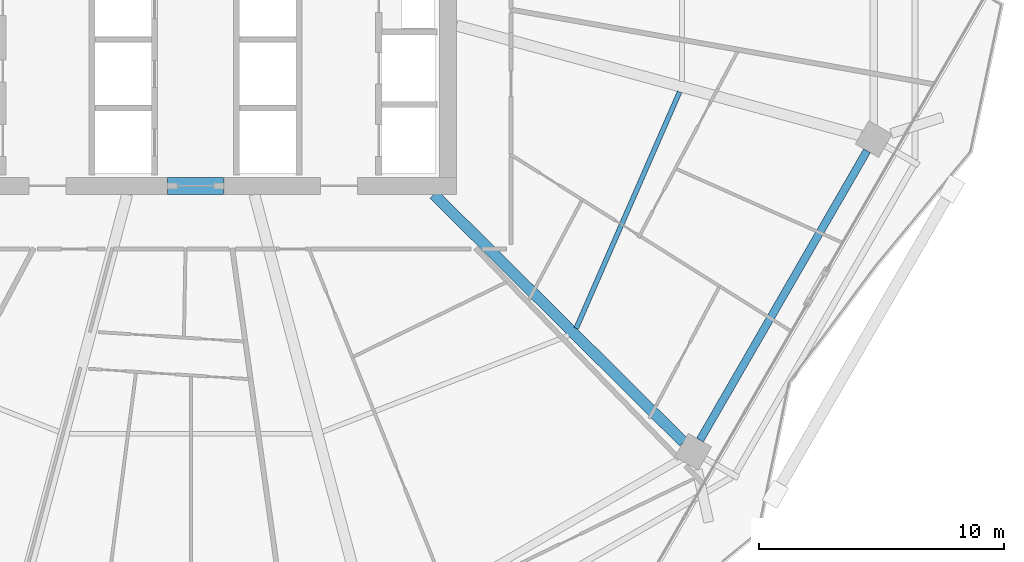
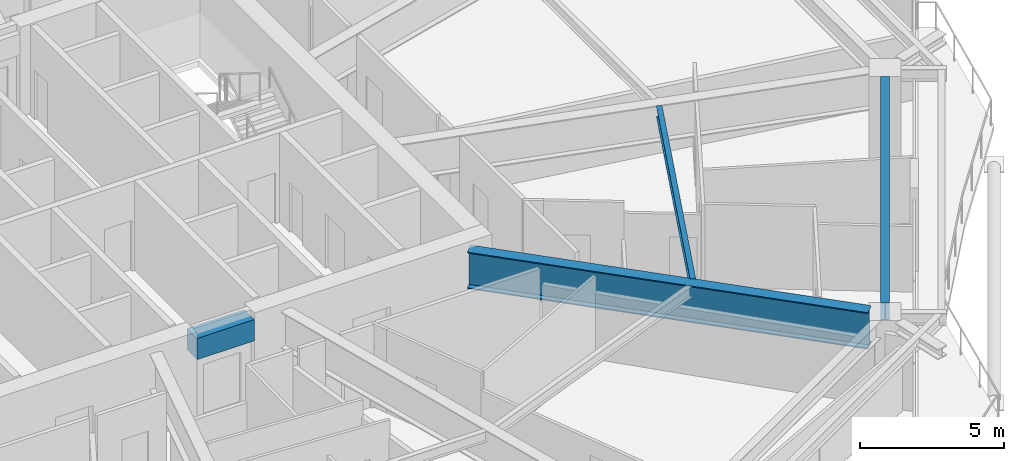
# One storey, part 10 of 33: 4 beams.
"""IFC4 building model written with IfcOpenShell, lengths in metres."""

import ifcopenshell
import ifcopenshell.guid

model = None  # the IFC model being written
_history = None  # IfcOwnerHistory: only IFC2X3 demands one
_inside = {}  # id of a spatial element -> (the spatial element, [elements in it])
_under = {}  # id of a project, library or spatial element -> (it, [spatial elements below it])
_declared = {}  # id of a project -> (the project, [libraries it declares])
_typed = {}  # id of a type object -> (the type object, [elements of that type])
_made_of = {}  # id of a material, layer set ... -> (it, [elements and type objects made of it])


def new_model(schema):
    """Start an empty IFC model of exactly this schema.

    Asked for "IFC4X3", IfcOpenShell would pick the latest addendum, in which some entities
    have other attributes; the version numbers below select the first issue.
    IFC2X3 requires an IfcOwnerHistory on every rooted entity: one is made here for all.
    """
    global model, _history
    if schema == "IFC4X3":
        model = ifcopenshell.file(schema_version=(4, 3, 0, 0))
    else:
        model = ifcopenshell.file(schema=schema)
    _inside.clear()
    _under.clear()
    _declared.clear()
    _typed.clear()
    _made_of.clear()
    _history = None
    if model.schema == "IFC2X3":
        org = make("IfcOrganization", Name="unknown")
        user = make(
            "IfcPersonAndOrganization",
            ThePerson=make("IfcPerson", FamilyName="unknown"),
            TheOrganization=org,
        )
        app = make(
            "IfcApplication",
            ApplicationDeveloper=org,
            Version="unknown",
            ApplicationFullName="unknown",
            ApplicationIdentifier="unknown",
        )
        _history = make(
            "IfcOwnerHistory",
            OwningUser=user,
            OwningApplication=app,
            ChangeAction="ADDED",
            CreationDate=0,
        )
    return model


def make(cls, **values):
    """One entity of the class cls with the attributes given. An attribute that is None is left unset."""
    return model.create_entity(
        cls, **{name: value for name, value in values.items() if value is not None}
    )


def rooted(cls, **values):
    """An entity with a GlobalId (a new one), such as an element, a storey or a relation."""
    return make(cls, GlobalId=ifcopenshell.guid.new(), OwnerHistory=_history, **values)


def si_unit(unit_type, name, prefix=None):
    """IfcSIUnit, for example si_unit("LENGTHUNIT", "METRE", prefix="MILLI")."""
    return make("IfcSIUnit", UnitType=unit_type, Prefix=prefix, Name=name)


def assignment(units):
    """IfcUnitAssignment: the units of a project."""
    return None if units is None else make("IfcUnitAssignment", Units=units)


def point(xyz):
    """IfcCartesianPoint."""
    return None if xyz is None else make("IfcCartesianPoint", Coordinates=xyz)


def direction(xyz):
    """IfcDirection."""
    return None if xyz is None else make("IfcDirection", DirectionRatios=xyz)


def frame(location, z_axis=None, x_axis=None):
    """IfcAxis2Placement3D, a coordinate frame: its origin and axes. An axis left out is left unset."""
    return make(
        "IfcAxis2Placement3D",
        Location=point(location),
        Axis=direction(z_axis),
        RefDirection=direction(x_axis),
    )


def frame_2d(location, x_axis=None):
    """IfcAxis2Placement2D, a coordinate frame in the plane: its origin and x axis."""
    return make(
        "IfcAxis2Placement2D", Location=point(location), RefDirection=direction(x_axis)
    )


def origin():
    """The frame at (0, 0, 0) with its axes left unset."""
    return frame((0.0, 0.0, 0.0))


def origin_2d():
    """The frame at (0, 0) in the plane with its x axis left unset."""
    return frame_2d((0.0, 0.0))


def place(relative_to, where):
    """IfcLocalPlacement: puts the frame where relative to a parent placement (None: the world)."""
    return make(
        "IfcLocalPlacement", PlacementRelTo=relative_to, RelativePlacement=where
    )


def context(
    kind, dimensions, precision=None, world=None, true_north=None, identifier=None
):
    """IfcGeometricRepresentationContext, for example the 3D "Model" context."""
    return make(
        "IfcGeometricRepresentationContext",
        ContextIdentifier=identifier,
        ContextType=kind,
        CoordinateSpaceDimension=dimensions,
        Precision=precision,
        WorldCoordinateSystem=world,
        TrueNorth=true_north,
    )


def subcontext(parent, identifier, kind, view, scale=None):
    """IfcGeometricRepresentationSubContext, for example "Body" below "Model"."""
    return make(
        "IfcGeometricRepresentationSubContext",
        ContextIdentifier=identifier,
        ContextType=kind,
        ParentContext=parent,
        TargetScale=scale,
        TargetView=view,
    )


def project(units=None, contexts=None):
    """IfcProject with its units and contexts."""
    return rooted(
        "IfcProject",
        Name="project",
        RepresentationContexts=contexts,
        UnitsInContext=assignment(units),
    )


def spatial(cls, under=None, at=None, **own):
    """A site, building, storey or space (cls), placed at a placement, below another one or the project."""
    s = rooted(cls, ObjectPlacement=at, **own)
    if under is not None:
        _under.setdefault(under.id(), (under, []))[1].append(s)
    return s


def profile(cls, at=None, kind="AREA", **sizes):
    """A parametric profile (cls). Its sizes go by their IFC names, for example OverallWidth=200.0."""
    return make(cls, ProfileType=kind, Position=at, **sizes)


def rectangle(**sizes):
    """IfcRectangleProfileDef."""
    return profile("IfcRectangleProfileDef", **sizes)


def i_section(**sizes):
    """IfcIShapeProfileDef."""
    return profile("IfcIShapeProfileDef", **sizes)


def extrude(swept, where, along, depth):
    """IfcExtrudedAreaSolid: the profile swept, set in the frame where, extruded along a direction by depth."""
    return make(
        "IfcExtrudedAreaSolid",
        SweptArea=swept,
        Position=where,
        ExtrudedDirection=direction(along),
        Depth=depth,
    )


def shape(context_of_items, identifier, shape_type, items):
    """IfcShapeRepresentation: the items that make up one representation, for example the "Body"."""
    return make(
        "IfcShapeRepresentation",
        ContextOfItems=context_of_items,
        RepresentationIdentifier=identifier,
        RepresentationType=shape_type,
        Items=items,
    )


def material(Name=None, Category=None):
    """IfcMaterial."""
    return make("IfcMaterial", Name=Name, Category=Category)


def material_profile(
    of_material, cross_section, Name=None, Category=None, Priority=None
):
    """IfcMaterialProfile: a cross section and its material."""
    return make(
        "IfcMaterialProfile",
        Name=Name,
        Material=of_material,
        Profile=cross_section,
        Priority=Priority,
        Category=Category,
    )


def profile_set(profiles, Name=None, composite=None):
    """IfcMaterialProfileSet."""
    return make(
        "IfcMaterialProfileSet",
        Name=Name,
        MaterialProfiles=profiles,
        CompositeProfile=composite,
    )


def made_of(thing, what):
    """Note that an element or type object is made of a material, layer set ...; save() writes the relation."""
    if what is not None:
        _made_of.setdefault(what.id(), (what, []))[1].append(thing)
    return thing


def type_object(cls, material=None, **own):
    """A type object (cls), such as IfcWallType, which elements share."""
    return made_of(rooted(cls, **own), material)


def element(
    cls,
    number,
    at=None,
    inside=None,
    cuts=None,
    type_object=None,
    material=None,
    context=None,
    identifier="Body",
    shape_type=None,
    held_by="IfcProductDefinitionShape",
    body=None,
    shapes=None,
    **own,
):
    """One element of the class cls, such as IfcWall. Its Tag is "e" and its number.

    at: its placement. inside: the storey or other place that contains it. cuts: it is an
    opening in that element (IfcRelVoidsElement). A single representation is given by context,
    identifier, shape_type and body (its items); several are given by shapes. held_by: the class
    of the entity that holds the representations. save() writes the other relations.
    """
    e = rooted(cls, Tag="e%d" % number, ObjectPlacement=at, **own)
    if body is not None:
        shapes = [shape(context, identifier, shape_type, body)]
    if shapes is not None:
        e.Representation = make(held_by, Representations=shapes)
    if inside is not None:
        _inside.setdefault(inside.id(), (inside, []))[1].append(e)
    if cuts is not None:
        rooted(
            "IfcRelVoidsElement", RelatingBuildingElement=cuts, RelatedOpeningElement=e
        )
    if type_object is not None:
        _typed.setdefault(type_object.id(), (type_object, []))[1].append(e)
    return made_of(e, material)


def aggregate(whole, parts):
    """IfcRelAggregates: a whole, such as a stair, and the parts it consists of."""
    return rooted("IfcRelAggregates", RelatingObject=whole, RelatedObjects=parts)


def save(model, path):
    """Write the relations noted so far, then the file.

    IfcRelAggregates (storeys below a building ...), IfcRelContainedInSpatialStructure (elements
    in a storey), IfcRelDefinesByType, IfcRelAssociatesMaterial and IfcRelDeclares: one each for
    every whole, place, type object, material and project.
    """
    for whole, parts in _under.values():
        aggregate(whole, parts)
    for where, things in _inside.values():
        rooted(
            "IfcRelContainedInSpatialStructure",
            RelatedElements=things,
            RelatingStructure=where,
        )
    for kind, things in _typed.values():
        rooted("IfcRelDefinesByType", RelatedObjects=things, RelatingType=kind)
    for what, things in _made_of.values():
        rooted("IfcRelAssociatesMaterial", RelatedObjects=things, RelatingMaterial=what)
    for by, libraries in _declared.values():
        rooted("IfcRelDeclares", RelatingContext=by, RelatedDefinitions=libraries)
    model.write(path)


model = new_model("IFC4")

# Units and contexts
model_context = context("Model", 3, precision=1e-05, world=origin(), true_north=direction((0.0, 1.0)))
body_context = subcontext(model_context, "Body", "Model", "MODEL_VIEW")
ifc_project = project(units=[si_unit("LENGTHUNIT", "METRE"), si_unit("AREAUNIT", "SQUARE_METRE"), si_unit("VOLUMEUNIT", "CUBIC_METRE"), si_unit("PLANEANGLEUNIT", "RADIAN"), si_unit("MASSUNIT", "GRAM", prefix="KILO")], contexts=[model_context])

# Site, building, storey
site_placement = place(None, origin())
site = spatial("IfcSite", under=ifc_project, at=site_placement, CompositionType="ELEMENT")
building_placement = place(site_placement, origin())
building = spatial("IfcBuilding", under=site, at=building_placement, Name="Zuhravey Tower", CompositionType="ELEMENT")
storey_placement = place(building_placement, frame((0.0, 0.0, 141.800048828125)))
storey = spatial("IfcBuildingStorey", under=building, at=storey_placement, Name="L35", CompositionType="ELEMENT", Elevation=141.800048828125)

# Beams
ifc_material_1 = material(Name="Concrete C60/75", Category="concrete")
ifc_material_profile_1 = material_profile(ifc_material_1, rectangle(XDim=0.699951171875, YDim=0.89990234375, at=origin_2d()), Name="RC-700x900")
ifc_profile_set_1 = profile_set([ifc_material_profile_1], Name="Concrete C60/75")
beam_type_1 = type_object("IfcBeamType", Name="Core Coupling Beam RC700x900", PredefinedType="LINTEL", material=ifc_profile_set_1)
beam_1_placement = place(storey_placement, frame((35.052001953125, 22.5, 3.070068359375), z_axis=(1.0, 0.0, 0.0), x_axis=(0.0, 1.0, 0.0)))
element("IfcBeam", 1, at=beam_1_placement, inside=storey, type_object=beam_type_1, Name="L35 CB1 BM-L35-CB-S", PredefinedType="LINTEL", context=body_context, shape_type="SweptSolid", body=[
    extrude(rectangle(XDim=0.699951171875, YDim=0.89990234375, at=origin_2d()), origin(), (0.0, 0.0, 1.0), 2.2958984375),
])
ifc_material_2 = material(Name="Steel SM460", Category="steel")
ifc_material_profile_2 = material_profile(ifc_material_2, i_section(OverallWidth=0.449951171875, OverallDepth=1.550048828125, WebThickness=0.02587890625, FlangeThickness=0.0419921875, at=origin_2d()), Name="H-1550x450x26x42")
ifc_profile_set_2 = profile_set([ifc_material_profile_2], Name="Steel SM460")
beam_type_2 = type_object("IfcBeamType", Name="Heavy Setback Transfer Girder H1550x450", PredefinedType="BEAM", material=ifc_profile_set_2)
beam_2_placement = place(storey_placement, frame((45.931396484375, 22.14697265625, 2.744873046875), z_axis=(0.709906230344, -0.704296204816, 0.0), x_axis=(0.704296204816, 0.709906230344, 0.0)))
element("IfcBeam", 2, at=beam_2_placement, inside=storey, type_object=beam_type_2, Name="L35 TG3 BM-L35-RAD-11", PredefinedType="BEAM", context=body_context, shape_type="SweptSolid", body=[
    extrude(i_section(OverallWidth=0.449951171875, OverallDepth=1.550048828125, WebThickness=0.02587890625, FlangeThickness=0.0419921875, at=origin_2d()), origin(), (0.0, 0.0, 1.0), 14.361083984375),
])
ifc_material_3 = material(Name="Steel SM355", Category="steel")
ifc_material_profile_3 = material_profile(ifc_material_3, i_section(OverallWidth=0.320068359375, OverallDepth=0.75, WebThickness=0.013916015625, FlangeThickness=0.02490234375, at=origin_2d()), Name="H-750x320x14x25")
ifc_profile_set_3 = profile_set([ifc_material_profile_3], Name="Steel SM355")
beam_type_3 = type_object("IfcBeamType", Name="Perimeter Ring Beam H750x320", PredefinedType="BEAM", material=ifc_profile_set_3)
beam_3_placement = place(storey_placement, frame((56.79541015625, 12.1220703125, 3.14501953125), z_axis=(0.500008177929, 0.866020682204, 0.0), x_axis=(-0.866020682204, 0.500008177929, 0.0)))
element("IfcBeam", 3, at=beam_3_placement, inside=storey, type_object=beam_type_3, Name="L35 PB1 BM-L35-PB-11", PredefinedType="BEAM", context=body_context, shape_type="SweptSolid", body=[
    extrude(i_section(OverallWidth=0.320068359375, OverallDepth=0.75, WebThickness=0.013916015625, FlangeThickness=0.02490234375, at=origin_2d()), origin(), (0.0, 0.0, 1.0), 13.634033203125),
])
ifc_material_profile_4 = material_profile(ifc_material_3, i_section(OverallWidth=0.199951171875, OverallDepth=0.449951171875, WebThickness=0.009033203125, FlangeThickness=0.013916015625, at=origin_2d()), Name="H-450x200x9x14")
ifc_profile_set_4 = profile_set([ifc_material_profile_4], Name="Steel SM355")
beam_type_4 = type_object("IfcBeamType", Name="Secondary Floor Joist H450x200", PredefinedType="JOIST", material=ifc_profile_set_4)
beam_4_placement = place(storey_placement, frame((51.740478515625, 16.684814453125, 3.294921875), z_axis=(0.400792074999, 0.916169041508, 0.0), x_axis=(-0.916169041508, 0.400792074999, 0.0)))
element("IfcBeam", 4, at=beam_4_placement, inside=storey, type_object=beam_type_4, Name="L35 SJ1 BM-L35-SJ-11-1", PredefinedType="JOIST", context=body_context, shape_type="SweptSolid", body=[
    extrude(i_section(OverallWidth=0.199951171875, OverallDepth=0.449951171875, WebThickness=0.009033203125, FlangeThickness=0.013916015625, at=origin_2d()), origin(), (0.0, 0.0, 1.0), 10.52978515625),
])

save(model, "model.ifc")
